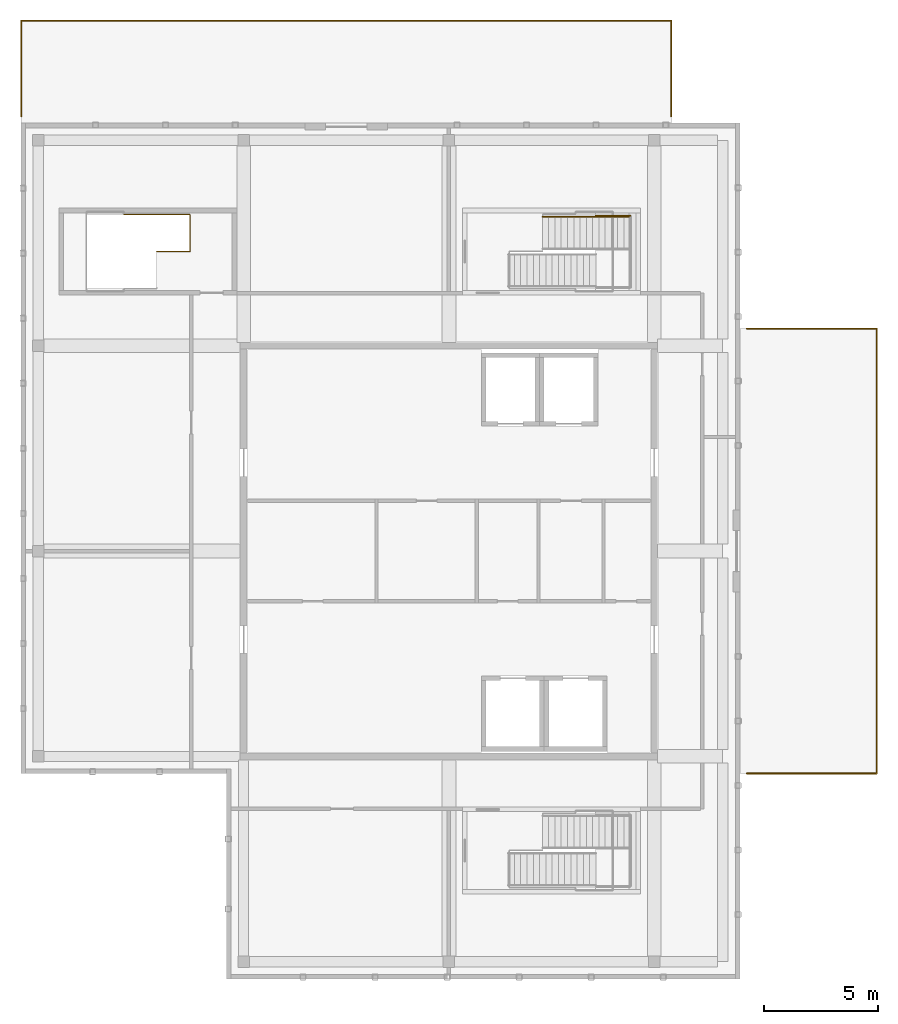
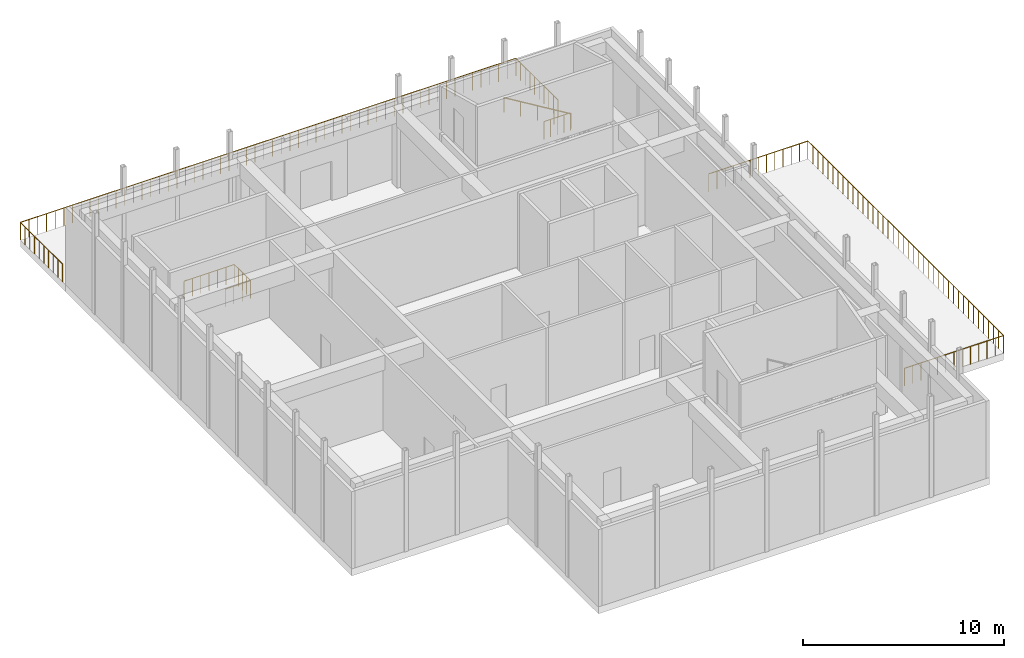
# One storey, part 11 of 11: 7 railings.
"""IFC4 building model written with IfcOpenShell, lengths in metres."""

from ifc_helpers import new_model, si_unit, direction, frame, origin, origin_2d, place, context, subcontext, project, spatial, circle, extrude, material, type_object, element, save


model = new_model("IFC4")

# Units and contexts
model_context = context("Model", 3, precision=1e-05, world=origin(), true_north=direction((0.0, 1.0)))
body_context = subcontext(model_context, "Body", "Model", "MODEL_VIEW")
ifc_project = project(units=[si_unit("LENGTHUNIT", "METRE"), si_unit("AREAUNIT", "SQUARE_METRE"), si_unit("VOLUMEUNIT", "CUBIC_METRE"), si_unit("PLANEANGLEUNIT", "RADIAN"), si_unit("MASSUNIT", "GRAM", prefix="KILO")], contexts=[model_context])

# Site, building, storey
site_placement = place(None, origin())
site = spatial("IfcSite", under=ifc_project, at=site_placement, CompositionType="ELEMENT")
building_placement = place(site_placement, origin())
building = spatial("IfcBuilding", under=site, at=building_placement, Name="Tuart Plaza Theatre", CompositionType="ELEMENT")
storey_placement = place(building_placement, frame((0.0, 0.0, 65.5)))
storey = spatial("IfcBuildingStorey", under=building, at=storey_placement, Name="L16", CompositionType="ELEMENT", Elevation=65.5)

# Railings
ifc_material_1 = material(Name="Steel Grade C350L0", Category="steel")
railing_type_1 = type_object("IfcRailingType", Name="RAILING Guard 1100", PredefinedType="GUARDRAIL", material=ifc_material_1)
railing_1_placement = place(storey_placement, frame((113.25, 97.25, 0.0)))
element("IfcRailing", 1, at=railing_1_placement, inside=storey, type_object=railing_type_1, Name="GR194", PredefinedType="GUARDRAIL", context=body_context, shape_type="SweptSolid", body=[
    extrude(circle(Radius=0.02490234375, at=origin_2d()), frame((0.0, 0.0, 1.0751953125), z_axis=(1.0, 0.0, 0.0), x_axis=(0.0, 1.0, 0.0)), (0.0, 0.0, 1.0), 28.5),
    extrude(circle(Radius=0.02490234375, at=origin_2d()), frame((28.5, 0.0, 1.0751953125), z_axis=(0.0, -1.0, 0.0), x_axis=(1.0, 0.0, 0.0)), (0.0, 0.0, 1.0), 4.199951171875),
    extrude(circle(Radius=0.02001953125, at=origin_2d()), origin(), (0.0, 0.0, 1.0), 1.050048828125),
    extrude(circle(Radius=0.02001953125, at=origin_2d()), frame((0.5, 0.0, 0.0)), (0.0, 0.0, 1.0), 1.050048828125),
    extrude(circle(Radius=0.02001953125, at=origin_2d()), frame((1.0, 0.0, 0.0)), (0.0, 0.0, 1.0), 1.050048828125),
    extrude(circle(Radius=0.02001953125, at=origin_2d()), frame((1.5, 0.0, 0.0)), (0.0, 0.0, 1.0), 1.050048828125),
    extrude(circle(Radius=0.02001953125, at=origin_2d()), frame((2.0, 0.0, 0.0)), (0.0, 0.0, 1.0), 1.050048828125),
    extrude(circle(Radius=0.02001953125, at=origin_2d()), frame((2.5, 0.0, 0.0)), (0.0, 0.0, 1.0), 1.050048828125),
    extrude(circle(Radius=0.02001953125, at=origin_2d()), frame((3.0, 0.0, 0.0)), (0.0, 0.0, 1.0), 1.050048828125),
    extrude(circle(Radius=0.02001953125, at=origin_2d()), frame((3.5, 0.0, 0.0)), (0.0, 0.0, 1.0), 1.050048828125),
    extrude(circle(Radius=0.02001953125, at=origin_2d()), frame((4.0, 0.0, 0.0)), (0.0, 0.0, 1.0), 1.050048828125),
    extrude(circle(Radius=0.02001953125, at=origin_2d()), frame((4.5, 0.0, 0.0)), (0.0, 0.0, 1.0), 1.050048828125),
    extrude(circle(Radius=0.02001953125, at=origin_2d()), frame((5.0, 0.0, 0.0)), (0.0, 0.0, 1.0), 1.050048828125),
    extrude(circle(Radius=0.02001953125, at=origin_2d()), frame((5.5, 0.0, 0.0)), (0.0, 0.0, 1.0), 1.050048828125),
    extrude(circle(Radius=0.02001953125, at=origin_2d()), frame((6.0, 0.0, 0.0)), (0.0, 0.0, 1.0), 1.050048828125),
    extrude(circle(Radius=0.02001953125, at=origin_2d()), frame((6.5, 0.0, 0.0)), (0.0, 0.0, 1.0), 1.050048828125),
    extrude(circle(Radius=0.02001953125, at=origin_2d()), frame((7.0, 0.0, 0.0)), (0.0, 0.0, 1.0), 1.050048828125),
    extrude(circle(Radius=0.02001953125, at=origin_2d()), frame((7.5, 0.0, 0.0)), (0.0, 0.0, 1.0), 1.050048828125),
    extrude(circle(Radius=0.02001953125, at=origin_2d()), frame((8.0, 0.0, 0.0)), (0.0, 0.0, 1.0), 1.050048828125),
    extrude(circle(Radius=0.02001953125, at=origin_2d()), frame((8.5, 0.0, 0.0)), (0.0, 0.0, 1.0), 1.050048828125),
    extrude(circle(Radius=0.02001953125, at=origin_2d()), frame((9.0, 0.0, 0.0)), (0.0, 0.0, 1.0), 1.050048828125),
    extrude(circle(Radius=0.02001953125, at=origin_2d()), frame((9.5, 0.0, 0.0)), (0.0, 0.0, 1.0), 1.050048828125),
    extrude(circle(Radius=0.02001953125, at=origin_2d()), frame((10.0, 0.0, 0.0)), (0.0, 0.0, 1.0), 1.050048828125),
    extrude(circle(Radius=0.02001953125, at=origin_2d()), frame((10.5, 0.0, 0.0)), (0.0, 0.0, 1.0), 1.050048828125),
    extrude(circle(Radius=0.02001953125, at=origin_2d()), frame((11.0, 0.0, 0.0)), (0.0, 0.0, 1.0), 1.050048828125),
    extrude(circle(Radius=0.02001953125, at=origin_2d()), frame((11.5, 0.0, 0.0)), (0.0, 0.0, 1.0), 1.050048828125),
    extrude(circle(Radius=0.02001953125, at=origin_2d()), frame((12.0, 0.0, 0.0)), (0.0, 0.0, 1.0), 1.050048828125),
    extrude(circle(Radius=0.02001953125, at=origin_2d()), frame((12.5, 0.0, 0.0)), (0.0, 0.0, 1.0), 1.050048828125),
    extrude(circle(Radius=0.02001953125, at=origin_2d()), frame((13.0, 0.0, 0.0)), (0.0, 0.0, 1.0), 1.050048828125),
    extrude(circle(Radius=0.02001953125, at=origin_2d()), frame((13.5, 0.0, 0.0)), (0.0, 0.0, 1.0), 1.050048828125),
    extrude(circle(Radius=0.02001953125, at=origin_2d()), frame((14.0, 0.0, 0.0)), (0.0, 0.0, 1.0), 1.050048828125),
    extrude(circle(Radius=0.02001953125, at=origin_2d()), frame((14.5, 0.0, 0.0)), (0.0, 0.0, 1.0), 1.050048828125),
    extrude(circle(Radius=0.02001953125, at=origin_2d()), frame((15.0, 0.0, 0.0)), (0.0, 0.0, 1.0), 1.050048828125),
    extrude(circle(Radius=0.02001953125, at=origin_2d()), frame((15.5, 0.0, 0.0)), (0.0, 0.0, 1.0), 1.050048828125),
    extrude(circle(Radius=0.02001953125, at=origin_2d()), frame((16.0, 0.0, 0.0)), (0.0, 0.0, 1.0), 1.050048828125),
    extrude(circle(Radius=0.02001953125, at=origin_2d()), frame((16.5, 0.0, 0.0)), (0.0, 0.0, 1.0), 1.050048828125),
    extrude(circle(Radius=0.02001953125, at=origin_2d()), frame((17.0, 0.0, 0.0)), (0.0, 0.0, 1.0), 1.050048828125),
    extrude(circle(Radius=0.02001953125, at=origin_2d()), frame((17.5, 0.0, 0.0)), (0.0, 0.0, 1.0), 1.050048828125),
    extrude(circle(Radius=0.02001953125, at=origin_2d()), frame((18.0, 0.0, 0.0)), (0.0, 0.0, 1.0), 1.050048828125),
    extrude(circle(Radius=0.02001953125, at=origin_2d()), frame((18.5, 0.0, 0.0)), (0.0, 0.0, 1.0), 1.050048828125),
    extrude(circle(Radius=0.02001953125, at=origin_2d()), frame((19.0, 0.0, 0.0)), (0.0, 0.0, 1.0), 1.050048828125),
    extrude(circle(Radius=0.02001953125, at=origin_2d()), frame((19.5, 0.0, 0.0)), (0.0, 0.0, 1.0), 1.050048828125),
    extrude(circle(Radius=0.02001953125, at=origin_2d()), frame((20.0, 0.0, 0.0)), (0.0, 0.0, 1.0), 1.050048828125),
    extrude(circle(Radius=0.02001953125, at=origin_2d()), frame((20.5, 0.0, 0.0)), (0.0, 0.0, 1.0), 1.050048828125),
    extrude(circle(Radius=0.02001953125, at=origin_2d()), frame((21.0, 0.0, 0.0)), (0.0, 0.0, 1.0), 1.050048828125),
    extrude(circle(Radius=0.02001953125, at=origin_2d()), frame((21.5, 0.0, 0.0)), (0.0, 0.0, 1.0), 1.050048828125),
    extrude(circle(Radius=0.02001953125, at=origin_2d()), frame((22.0, 0.0, 0.0)), (0.0, 0.0, 1.0), 1.050048828125),
    extrude(circle(Radius=0.02001953125, at=origin_2d()), frame((22.5, 0.0, 0.0)), (0.0, 0.0, 1.0), 1.050048828125),
    extrude(circle(Radius=0.02001953125, at=origin_2d()), frame((23.0, 0.0, 0.0)), (0.0, 0.0, 1.0), 1.050048828125),
    extrude(circle(Radius=0.02001953125, at=origin_2d()), frame((23.5, 0.0, 0.0)), (0.0, 0.0, 1.0), 1.050048828125),
    extrude(circle(Radius=0.02001953125, at=origin_2d()), frame((24.0, 0.0, 0.0)), (0.0, 0.0, 1.0), 1.050048828125),
    extrude(circle(Radius=0.02001953125, at=origin_2d()), frame((24.5, 0.0, 0.0)), (0.0, 0.0, 1.0), 1.050048828125),
    extrude(circle(Radius=0.02001953125, at=origin_2d()), frame((25.0, 0.0, 0.0)), (0.0, 0.0, 1.0), 1.050048828125),
    extrude(circle(Radius=0.02001953125, at=origin_2d()), frame((25.5, 0.0, 0.0)), (0.0, 0.0, 1.0), 1.050048828125),
    extrude(circle(Radius=0.02001953125, at=origin_2d()), frame((26.0, 0.0, 0.0)), (0.0, 0.0, 1.0), 1.050048828125),
    extrude(circle(Radius=0.02001953125, at=origin_2d()), frame((26.5, 0.0, 0.0)), (0.0, 0.0, 1.0), 1.050048828125),
    extrude(circle(Radius=0.02001953125, at=origin_2d()), frame((27.0, 0.0, 0.0)), (0.0, 0.0, 1.0), 1.050048828125),
    extrude(circle(Radius=0.02001953125, at=origin_2d()), frame((27.5, 0.0, 0.0)), (0.0, 0.0, 1.0), 1.050048828125),
    extrude(circle(Radius=0.02001953125, at=origin_2d()), frame((28.0, 0.0, 0.0)), (0.0, 0.0, 1.0), 1.050048828125),
    extrude(circle(Radius=0.02001953125, at=origin_2d()), frame((28.5, 0.0, 0.0)), (0.0, 0.0, 1.0), 1.050048828125),
    extrude(circle(Radius=0.02001953125, at=origin_2d()), frame((28.5, -0.466552734375, 0.0)), (0.0, 0.0, 1.0), 1.050048828125),
    extrude(circle(Radius=0.02001953125, at=origin_2d()), frame((28.5, -0.933349609375, 0.0)), (0.0, 0.0, 1.0), 1.050048828125),
    extrude(circle(Radius=0.02001953125, at=origin_2d()), frame((28.5, -1.39990234375, 0.0)), (0.0, 0.0, 1.0), 1.050048828125),
    extrude(circle(Radius=0.02001953125, at=origin_2d()), frame((28.5, -1.86669921875, 0.0)), (0.0, 0.0, 1.0), 1.050048828125),
    extrude(circle(Radius=0.02001953125, at=origin_2d()), frame((28.5, -2.333251953125, 0.0)), (0.0, 0.0, 1.0), 1.050048828125),
    extrude(circle(Radius=0.02001953125, at=origin_2d()), frame((28.5, -2.800048828125, 0.0)), (0.0, 0.0, 1.0), 1.050048828125),
    extrude(circle(Radius=0.02001953125, at=origin_2d()), frame((28.5, -3.2666015625, 0.0)), (0.0, 0.0, 1.0), 1.050048828125),
    extrude(circle(Radius=0.02001953125, at=origin_2d()), frame((28.5, -3.7333984375, 0.0)), (0.0, 0.0, 1.0), 1.050048828125),
    extrude(circle(Radius=0.02001953125, at=origin_2d()), frame((28.5, -4.199951171875, 0.0)), (0.0, 0.0, 1.0), 1.050048828125),
])
railing_2_placement = place(storey_placement, frame((113.25, 93.050048828125, 0.0)))
element("IfcRailing", 2, at=railing_2_placement, inside=storey, type_object=railing_type_1, Name="GR195", PredefinedType="GUARDRAIL", context=body_context, shape_type="SweptSolid", body=[
    extrude(circle(Radius=0.02490234375, at=origin_2d()), frame((0.0, 0.0, 1.0751953125), z_axis=(0.0, 1.0, 0.0), x_axis=(-1.0, 0.0, 0.0)), (0.0, 0.0, 1.0), 4.199951171875),
    extrude(circle(Radius=0.02001953125, at=origin_2d()), origin(), (0.0, 0.0, 1.0), 1.050048828125),
    extrude(circle(Radius=0.02001953125, at=origin_2d()), frame((0.0, 0.466552734375, 0.0)), (0.0, 0.0, 1.0), 1.050048828125),
    extrude(circle(Radius=0.02001953125, at=origin_2d()), frame((0.0, 0.933349609375, 0.0)), (0.0, 0.0, 1.0), 1.050048828125),
    extrude(circle(Radius=0.02001953125, at=origin_2d()), frame((0.0, 1.39990234375, 0.0)), (0.0, 0.0, 1.0), 1.050048828125),
    extrude(circle(Radius=0.02001953125, at=origin_2d()), frame((0.0, 1.86669921875, 0.0)), (0.0, 0.0, 1.0), 1.050048828125),
    extrude(circle(Radius=0.02001953125, at=origin_2d()), frame((0.0, 2.333251953125, 0.0)), (0.0, 0.0, 1.0), 1.050048828125),
    extrude(circle(Radius=0.02001953125, at=origin_2d()), frame((0.0, 2.800048828125, 0.0)), (0.0, 0.0, 1.0), 1.050048828125),
    extrude(circle(Radius=0.02001953125, at=origin_2d()), frame((0.0, 3.2666015625, 0.0)), (0.0, 0.0, 1.0), 1.050048828125),
    extrude(circle(Radius=0.02001953125, at=origin_2d()), frame((0.0, 3.7333984375, 0.0)), (0.0, 0.0, 1.0), 1.050048828125),
    extrude(circle(Radius=0.02001953125, at=origin_2d()), frame((0.0, 4.199951171875, 0.0)), (0.0, 0.0, 1.0), 1.050048828125),
])
railing_3_placement = place(storey_placement, frame((150.75, 83.75, 0.0)))
element("IfcRailing", 3, at=railing_3_placement, inside=storey, type_object=railing_type_1, Name="GR196", PredefinedType="GUARDRAIL", context=body_context, shape_type="SweptSolid", body=[
    extrude(circle(Radius=0.02490234375, at=origin_2d()), frame((0.0, 0.0, 1.0751953125), z_axis=(0.0, -1.0, 0.0), x_axis=(1.0, 0.0, 0.0)), (0.0, 0.0, 1.0), 19.5),
    extrude(circle(Radius=0.02490234375, at=origin_2d()), frame((0.0, -19.5, 1.0751953125), z_axis=(-1.0, 0.0, 0.0), x_axis=(0.0, -1.0, 0.0)), (0.0, 0.0, 1.0), 5.699951171875),
    extrude(circle(Radius=0.02001953125, at=origin_2d()), origin(), (0.0, 0.0, 1.0), 1.050048828125),
    extrude(circle(Radius=0.02001953125, at=origin_2d()), frame((0.0, -0.5, 0.0)), (0.0, 0.0, 1.0), 1.050048828125),
    extrude(circle(Radius=0.02001953125, at=origin_2d()), frame((0.0, -1.0, 0.0)), (0.0, 0.0, 1.0), 1.050048828125),
    extrude(circle(Radius=0.02001953125, at=origin_2d()), frame((0.0, -1.5, 0.0)), (0.0, 0.0, 1.0), 1.050048828125),
    extrude(circle(Radius=0.02001953125, at=origin_2d()), frame((0.0, -2.0, 0.0)), (0.0, 0.0, 1.0), 1.050048828125),
    extrude(circle(Radius=0.02001953125, at=origin_2d()), frame((0.0, -2.5, 0.0)), (0.0, 0.0, 1.0), 1.050048828125),
    extrude(circle(Radius=0.02001953125, at=origin_2d()), frame((0.0, -3.0, 0.0)), (0.0, 0.0, 1.0), 1.050048828125),
    extrude(circle(Radius=0.02001953125, at=origin_2d()), frame((0.0, -3.5, 0.0)), (0.0, 0.0, 1.0), 1.050048828125),
    extrude(circle(Radius=0.02001953125, at=origin_2d()), frame((0.0, -4.0, 0.0)), (0.0, 0.0, 1.0), 1.050048828125),
    extrude(circle(Radius=0.02001953125, at=origin_2d()), frame((0.0, -4.5, 0.0)), (0.0, 0.0, 1.0), 1.050048828125),
    extrude(circle(Radius=0.02001953125, at=origin_2d()), frame((0.0, -5.0, 0.0)), (0.0, 0.0, 1.0), 1.050048828125),
    extrude(circle(Radius=0.02001953125, at=origin_2d()), frame((0.0, -5.5, 0.0)), (0.0, 0.0, 1.0), 1.050048828125),
    extrude(circle(Radius=0.02001953125, at=origin_2d()), frame((0.0, -6.0, 0.0)), (0.0, 0.0, 1.0), 1.050048828125),
    extrude(circle(Radius=0.02001953125, at=origin_2d()), frame((0.0, -6.5, 0.0)), (0.0, 0.0, 1.0), 1.050048828125),
    extrude(circle(Radius=0.02001953125, at=origin_2d()), frame((0.0, -7.0, 0.0)), (0.0, 0.0, 1.0), 1.050048828125),
    extrude(circle(Radius=0.02001953125, at=origin_2d()), frame((0.0, -7.5, 0.0)), (0.0, 0.0, 1.0), 1.050048828125),
    extrude(circle(Radius=0.02001953125, at=origin_2d()), frame((0.0, -8.0, 0.0)), (0.0, 0.0, 1.0), 1.050048828125),
    extrude(circle(Radius=0.02001953125, at=origin_2d()), frame((0.0, -8.5, 0.0)), (0.0, 0.0, 1.0), 1.050048828125),
    extrude(circle(Radius=0.02001953125, at=origin_2d()), frame((0.0, -9.0, 0.0)), (0.0, 0.0, 1.0), 1.050048828125),
    extrude(circle(Radius=0.02001953125, at=origin_2d()), frame((0.0, -9.5, 0.0)), (0.0, 0.0, 1.0), 1.050048828125),
    extrude(circle(Radius=0.02001953125, at=origin_2d()), frame((0.0, -10.0, 0.0)), (0.0, 0.0, 1.0), 1.050048828125),
    extrude(circle(Radius=0.02001953125, at=origin_2d()), frame((0.0, -10.5, 0.0)), (0.0, 0.0, 1.0), 1.050048828125),
    extrude(circle(Radius=0.02001953125, at=origin_2d()), frame((0.0, -11.0, 0.0)), (0.0, 0.0, 1.0), 1.050048828125),
    extrude(circle(Radius=0.02001953125, at=origin_2d()), frame((0.0, -11.5, 0.0)), (0.0, 0.0, 1.0), 1.050048828125),
    extrude(circle(Radius=0.02001953125, at=origin_2d()), frame((0.0, -12.0, 0.0)), (0.0, 0.0, 1.0), 1.050048828125),
    extrude(circle(Radius=0.02001953125, at=origin_2d()), frame((0.0, -12.5, 0.0)), (0.0, 0.0, 1.0), 1.050048828125),
    extrude(circle(Radius=0.02001953125, at=origin_2d()), frame((0.0, -13.0, 0.0)), (0.0, 0.0, 1.0), 1.050048828125),
    extrude(circle(Radius=0.02001953125, at=origin_2d()), frame((0.0, -13.5, 0.0)), (0.0, 0.0, 1.0), 1.050048828125),
    extrude(circle(Radius=0.02001953125, at=origin_2d()), frame((0.0, -14.0, 0.0)), (0.0, 0.0, 1.0), 1.050048828125),
    extrude(circle(Radius=0.02001953125, at=origin_2d()), frame((0.0, -14.5, 0.0)), (0.0, 0.0, 1.0), 1.050048828125),
    extrude(circle(Radius=0.02001953125, at=origin_2d()), frame((0.0, -15.0, 0.0)), (0.0, 0.0, 1.0), 1.050048828125),
    extrude(circle(Radius=0.02001953125, at=origin_2d()), frame((0.0, -15.5, 0.0)), (0.0, 0.0, 1.0), 1.050048828125),
    extrude(circle(Radius=0.02001953125, at=origin_2d()), frame((0.0, -16.0, 0.0)), (0.0, 0.0, 1.0), 1.050048828125),
    extrude(circle(Radius=0.02001953125, at=origin_2d()), frame((0.0, -16.5, 0.0)), (0.0, 0.0, 1.0), 1.050048828125),
    extrude(circle(Radius=0.02001953125, at=origin_2d()), frame((0.0, -17.0, 0.0)), (0.0, 0.0, 1.0), 1.050048828125),
    extrude(circle(Radius=0.02001953125, at=origin_2d()), frame((0.0, -17.5, 0.0)), (0.0, 0.0, 1.0), 1.050048828125),
    extrude(circle(Radius=0.02001953125, at=origin_2d()), frame((0.0, -18.0, 0.0)), (0.0, 0.0, 1.0), 1.050048828125),
    extrude(circle(Radius=0.02001953125, at=origin_2d()), frame((0.0, -18.5, 0.0)), (0.0, 0.0, 1.0), 1.050048828125),
    extrude(circle(Radius=0.02001953125, at=origin_2d()), frame((0.0, -19.0, 0.0)), (0.0, 0.0, 1.0), 1.050048828125),
    extrude(circle(Radius=0.02001953125, at=origin_2d()), frame((0.0, -19.5, 0.0)), (0.0, 0.0, 1.0), 1.050048828125),
    extrude(circle(Radius=0.02001953125, at=origin_2d()), frame((-0.47509765625, -19.5, 0.0)), (0.0, 0.0, 1.0), 1.050048828125),
    extrude(circle(Radius=0.02001953125, at=origin_2d()), frame((-0.949951171875, -19.5, 0.0)), (0.0, 0.0, 1.0), 1.050048828125),
    extrude(circle(Radius=0.02001953125, at=origin_2d()), frame((-1.425048828125, -19.5, 0.0)), (0.0, 0.0, 1.0), 1.050048828125),
    extrude(circle(Radius=0.02001953125, at=origin_2d()), frame((-1.89990234375, -19.5, 0.0)), (0.0, 0.0, 1.0), 1.050048828125),
    extrude(circle(Radius=0.02001953125, at=origin_2d()), frame((-2.375, -19.5, 0.0)), (0.0, 0.0, 1.0), 1.050048828125),
    extrude(circle(Radius=0.02001953125, at=origin_2d()), frame((-2.85009765625, -19.5, 0.0)), (0.0, 0.0, 1.0), 1.050048828125),
    extrude(circle(Radius=0.02001953125, at=origin_2d()), frame((-3.324951171875, -19.5, 0.0)), (0.0, 0.0, 1.0), 1.050048828125),
    extrude(circle(Radius=0.02001953125, at=origin_2d()), frame((-3.800048828125, -19.5, 0.0)), (0.0, 0.0, 1.0), 1.050048828125),
    extrude(circle(Radius=0.02001953125, at=origin_2d()), frame((-4.27490234375, -19.5, 0.0)), (0.0, 0.0, 1.0), 1.050048828125),
    extrude(circle(Radius=0.02001953125, at=origin_2d()), frame((-4.75, -19.5, 0.0)), (0.0, 0.0, 1.0), 1.050048828125),
    extrude(circle(Radius=0.02001953125, at=origin_2d()), frame((-5.224853515625, -19.5, 0.0)), (0.0, 0.0, 1.0), 1.050048828125),
    extrude(circle(Radius=0.02001953125, at=origin_2d()), frame((-5.699951171875, -19.5, 0.0)), (0.0, 0.0, 1.0), 1.050048828125),
])
railing_4_placement = place(storey_placement, frame((145.050048828125, 83.75, 0.0)))
element("IfcRailing", 4, at=railing_4_placement, inside=storey, type_object=railing_type_1, Name="GR197", PredefinedType="GUARDRAIL", context=body_context, shape_type="SweptSolid", body=[
    extrude(circle(Radius=0.02490234375, at=origin_2d()), frame((0.0, 0.0, 1.0751953125), z_axis=(1.0, 0.0, 0.0), x_axis=(0.0, 1.0, 0.0)), (0.0, 0.0, 1.0), 5.699951171875),
    extrude(circle(Radius=0.02001953125, at=origin_2d()), origin(), (0.0, 0.0, 1.0), 1.050048828125),
    extrude(circle(Radius=0.02001953125, at=origin_2d()), frame((0.47509765625, 0.0, 0.0)), (0.0, 0.0, 1.0), 1.050048828125),
    extrude(circle(Radius=0.02001953125, at=origin_2d()), frame((0.949951171875, 0.0, 0.0)), (0.0, 0.0, 1.0), 1.050048828125),
    extrude(circle(Radius=0.02001953125, at=origin_2d()), frame((1.425048828125, 0.0, 0.0)), (0.0, 0.0, 1.0), 1.050048828125),
    extrude(circle(Radius=0.02001953125, at=origin_2d()), frame((1.89990234375, 0.0, 0.0)), (0.0, 0.0, 1.0), 1.050048828125),
    extrude(circle(Radius=0.02001953125, at=origin_2d()), frame((2.375, 0.0, 0.0)), (0.0, 0.0, 1.0), 1.050048828125),
    extrude(circle(Radius=0.02001953125, at=origin_2d()), frame((2.85009765625, 0.0, 0.0)), (0.0, 0.0, 1.0), 1.050048828125),
    extrude(circle(Radius=0.02001953125, at=origin_2d()), frame((3.324951171875, 0.0, 0.0)), (0.0, 0.0, 1.0), 1.050048828125),
    extrude(circle(Radius=0.02001953125, at=origin_2d()), frame((3.800048828125, 0.0, 0.0)), (0.0, 0.0, 1.0), 1.050048828125),
    extrude(circle(Radius=0.02001953125, at=origin_2d()), frame((4.27490234375, 0.0, 0.0)), (0.0, 0.0, 1.0), 1.050048828125),
    extrude(circle(Radius=0.02001953125, at=origin_2d()), frame((4.75, 0.0, 0.0)), (0.0, 0.0, 1.0), 1.050048828125),
    extrude(circle(Radius=0.02001953125, at=origin_2d()), frame((5.224853515625, 0.0, 0.0)), (0.0, 0.0, 1.0), 1.050048828125),
    extrude(circle(Radius=0.02001953125, at=origin_2d()), frame((5.699951171875, 0.0, 0.0)), (0.0, 0.0, 1.0), 1.050048828125),
])
railing_5_placement = place(storey_placement, frame((117.75, 88.75, 0.0)))
element("IfcRailing", 5, at=railing_5_placement, inside=storey, type_object=railing_type_1, Name="GR432", PredefinedType="GUARDRAIL", context=body_context, shape_type="SweptSolid", body=[
    extrude(circle(Radius=0.02490234375, at=origin_2d()), frame((0.0, 0.0, 1.0751953125), z_axis=(1.0, 0.0, 0.0), x_axis=(0.0, 1.0, 0.0)), (0.0, 0.0, 1.0), 2.89501953125),
    extrude(circle(Radius=0.02490234375, at=origin_2d()), frame((2.89501953125, 0.0, 1.0751953125), z_axis=(0.0, -1.0, 0.0), x_axis=(1.0, 0.0, 0.0)), (0.0, 0.0, 1.0), 1.625),
    extrude(circle(Radius=0.02490234375, at=origin_2d()), frame((2.89501953125, -1.625, 1.0751953125), z_axis=(-1.0, 0.0, 0.0), x_axis=(0.0, -1.0, 0.0)), (0.0, 0.0, 1.0), 1.455078125),
    extrude(circle(Radius=0.02001953125, at=origin_2d()), origin(), (0.0, 0.0, 1.0), 1.050048828125),
    extrude(circle(Radius=0.02001953125, at=origin_2d()), frame((0.482421875, 0.0, 0.0)), (0.0, 0.0, 1.0), 1.050048828125),
    extrude(circle(Radius=0.02001953125, at=origin_2d()), frame((0.965087890625, 0.0, 0.0)), (0.0, 0.0, 1.0), 1.050048828125),
    extrude(circle(Radius=0.02001953125, at=origin_2d()), frame((1.447509765625, 0.0, 0.0)), (0.0, 0.0, 1.0), 1.050048828125),
    extrude(circle(Radius=0.02001953125, at=origin_2d()), frame((1.929931640625, 0.0, 0.0)), (0.0, 0.0, 1.0), 1.050048828125),
    extrude(circle(Radius=0.02001953125, at=origin_2d()), frame((2.41259765625, 0.0, 0.0)), (0.0, 0.0, 1.0), 1.050048828125),
    extrude(circle(Radius=0.02001953125, at=origin_2d()), frame((2.89501953125, 0.0, 0.0)), (0.0, 0.0, 1.0), 1.050048828125),
    extrude(circle(Radius=0.02001953125, at=origin_2d()), frame((2.89501953125, -0.40625, 0.0)), (0.0, 0.0, 1.0), 1.050048828125),
    extrude(circle(Radius=0.02001953125, at=origin_2d()), frame((2.89501953125, -0.8125, 0.0)), (0.0, 0.0, 1.0), 1.050048828125),
    extrude(circle(Radius=0.02001953125, at=origin_2d()), frame((2.89501953125, -1.21875, 0.0)), (0.0, 0.0, 1.0), 1.050048828125),
    extrude(circle(Radius=0.02001953125, at=origin_2d()), frame((2.89501953125, -1.625, 0.0)), (0.0, 0.0, 1.0), 1.050048828125),
    extrude(circle(Radius=0.02001953125, at=origin_2d()), frame((2.409912109375, -1.625, 0.0)), (0.0, 0.0, 1.0), 1.050048828125),
    extrude(circle(Radius=0.02001953125, at=origin_2d()), frame((1.925048828125, -1.625, 0.0)), (0.0, 0.0, 1.0), 1.050048828125),
    extrude(circle(Radius=0.02001953125, at=origin_2d()), frame((1.43994140625, -1.625, 0.0)), (0.0, 0.0, 1.0), 1.050048828125),
])
railing_6_placement = place(storey_placement, frame((139.955078125, 88.699951171875, 2.5)))
element("IfcRailing", 6, at=railing_6_placement, inside=storey, type_object=railing_type_1, Name="GR462", PredefinedType="GUARDRAIL", context=body_context, shape_type="SweptSolid", body=[
    extrude(circle(Radius=0.02490234375, at=origin_2d()), frame((0.0, 0.0, 1.0751953125), z_axis=(-1.0, 0.0, 0.0), x_axis=(0.0, -1.0, 0.0)), (0.0, 0.0, 1.0), 1.530029296875),
    extrude(circle(Radius=0.02001953125, at=origin_2d()), origin(), (0.0, 0.0, 1.0), 1.050048828125),
    extrude(circle(Radius=0.02001953125, at=origin_2d()), frame((-0.382568359375, 0.0, 0.0)), (0.0, 0.0, 1.0), 1.050048828125),
    extrude(circle(Radius=0.02001953125, at=origin_2d()), frame((-0.76513671875, 0.0, 0.0)), (0.0, 0.0, 1.0), 1.050048828125),
    extrude(circle(Radius=0.02001953125, at=origin_2d()), frame((-1.1474609375, 0.0, 0.0)), (0.0, 0.0, 1.0), 1.050048828125),
    extrude(circle(Radius=0.02001953125, at=origin_2d()), frame((-1.530029296875, 0.0, 0.0)), (0.0, 0.0, 1.0), 1.050048828125),
])
ifc_material_2 = material(Name="Steel Grade C350L0", Category="steel")
railing_type_2 = type_object("IfcRailingType", Name="RAILING Handrail 900", PredefinedType="HANDRAIL", material=ifc_material_2)
railing_7_placement = place(storey_placement, frame((139.945068359375, 88.64990234375, 2.666748046875)))
element("IfcRailing", 7, at=railing_7_placement, inside=storey, type_object=railing_type_2, Name="HR330", PredefinedType="HANDRAIL", context=body_context, shape_type="SweptSolid", body=[
    extrude(circle(Radius=0.0224609375, at=origin_2d()), frame((0.0, 0.0, 0.87744140625), z_axis=(-0.855211671081, 0.0, 0.518278880185), x_axis=(0.0, -1.0, 0.0)), (0.0, 0.0, 1.0), 4.501953125),
    extrude(circle(Radius=0.01513671875, at=origin_2d()), origin(), (0.0, 0.0, 1.0), 0.85498046875),
    extrude(circle(Radius=0.01513671875, at=origin_2d()), frame((-0.96240234375, 0.0, 0.583251953125)), (0.0, 0.0, 1.0), 0.85498046875),
    extrude(circle(Radius=0.01513671875, at=origin_2d()), frame((-1.925048828125, 0.0, 1.16650390625)), (0.0, 0.0, 1.0), 0.85498046875),
    extrude(circle(Radius=0.01513671875, at=origin_2d()), frame((-2.8876953125, 0.0, 1.75)), (0.0, 0.0, 1.0), 0.85498046875),
    extrude(circle(Radius=0.01513671875, at=origin_2d()), frame((-3.85009765625, 0.0, 2.333251953125)), (0.0, 0.0, 1.0), 0.85498046875),
])

save(model, "model.ifc")
